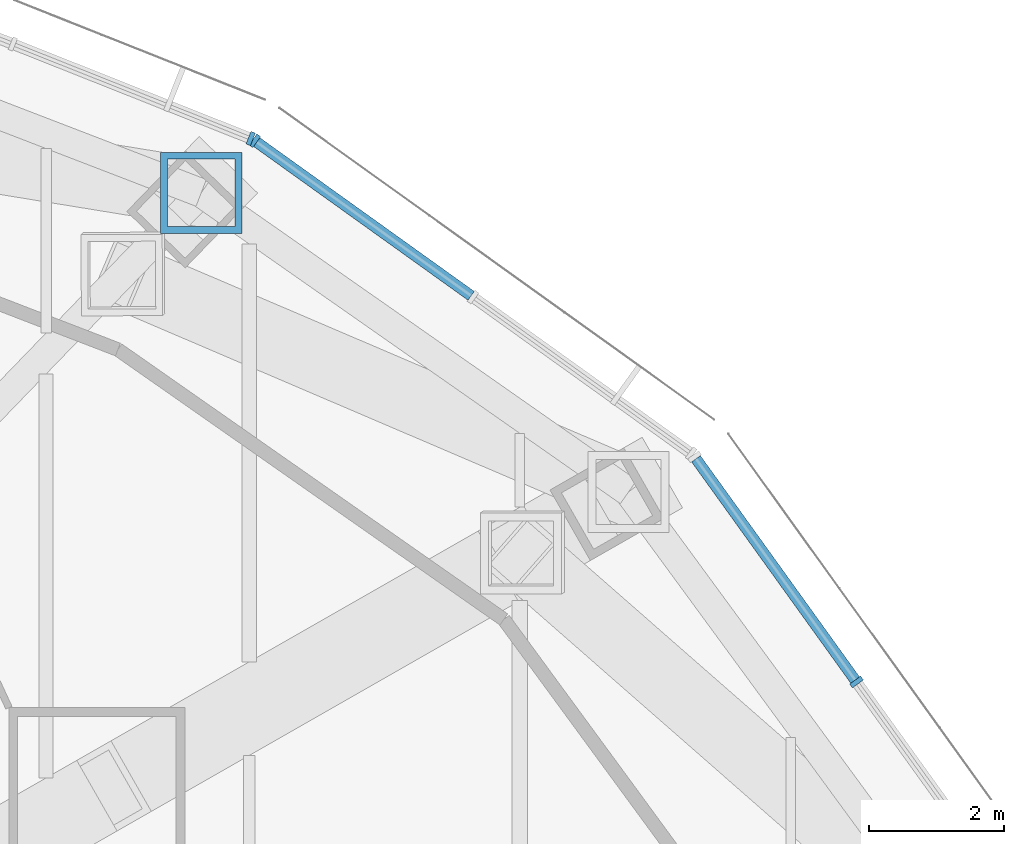
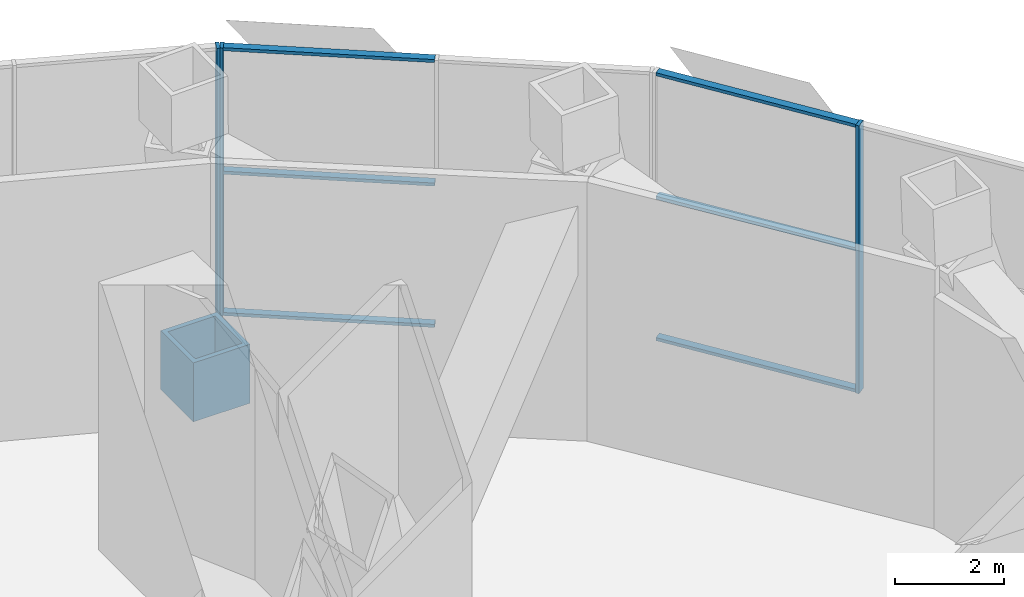
# One storey, part 11 of 21: 10 members, 3 elements without a shape of their own.
"""IFC4 building model written with IfcOpenShell, lengths in metres."""

import ifcopenshell
import ifcopenshell.guid

model = None  # the IFC model being written
_history = None  # IfcOwnerHistory: only IFC2X3 demands one
_inside = {}  # id of a spatial element -> (the spatial element, [elements in it])
_under = {}  # id of a project, library or spatial element -> (it, [spatial elements below it])
_declared = {}  # id of a project -> (the project, [libraries it declares])
_typed = {}  # id of a type object -> (the type object, [elements of that type])
_made_of = {}  # id of a material, layer set ... -> (it, [elements and type objects made of it])


def new_model(schema):
    """Start an empty IFC model of exactly this schema.

    Asked for "IFC4X3", IfcOpenShell would pick the latest addendum, in which some entities
    have other attributes; the version numbers below select the first issue.
    IFC2X3 requires an IfcOwnerHistory on every rooted entity: one is made here for all.
    """
    global model, _history
    if schema == "IFC4X3":
        model = ifcopenshell.file(schema_version=(4, 3, 0, 0))
    else:
        model = ifcopenshell.file(schema=schema)
    _inside.clear()
    _under.clear()
    _declared.clear()
    _typed.clear()
    _made_of.clear()
    _history = None
    if model.schema == "IFC2X3":
        org = make("IfcOrganization", Name="unknown")
        user = make(
            "IfcPersonAndOrganization",
            ThePerson=make("IfcPerson", FamilyName="unknown"),
            TheOrganization=org,
        )
        app = make(
            "IfcApplication",
            ApplicationDeveloper=org,
            Version="unknown",
            ApplicationFullName="unknown",
            ApplicationIdentifier="unknown",
        )
        _history = make(
            "IfcOwnerHistory",
            OwningUser=user,
            OwningApplication=app,
            ChangeAction="ADDED",
            CreationDate=0,
        )
    return model


def make(cls, **values):
    """One entity of the class cls with the attributes given. An attribute that is None is left unset."""
    return model.create_entity(
        cls, **{name: value for name, value in values.items() if value is not None}
    )


def rooted(cls, **values):
    """An entity with a GlobalId (a new one), such as an element, a storey or a relation."""
    return make(cls, GlobalId=ifcopenshell.guid.new(), OwnerHistory=_history, **values)


def si_unit(unit_type, name, prefix=None):
    """IfcSIUnit, for example si_unit("LENGTHUNIT", "METRE", prefix="MILLI")."""
    return make("IfcSIUnit", UnitType=unit_type, Prefix=prefix, Name=name)


def assignment(units):
    """IfcUnitAssignment: the units of a project."""
    return None if units is None else make("IfcUnitAssignment", Units=units)


def point(xyz):
    """IfcCartesianPoint."""
    return None if xyz is None else make("IfcCartesianPoint", Coordinates=xyz)


def direction(xyz):
    """IfcDirection."""
    return None if xyz is None else make("IfcDirection", DirectionRatios=xyz)


def frame(location, z_axis=None, x_axis=None):
    """IfcAxis2Placement3D, a coordinate frame: its origin and axes. An axis left out is left unset."""
    return make(
        "IfcAxis2Placement3D",
        Location=point(location),
        Axis=direction(z_axis),
        RefDirection=direction(x_axis),
    )


def frame_2d(location, x_axis=None):
    """IfcAxis2Placement2D, a coordinate frame in the plane: its origin and x axis."""
    return make(
        "IfcAxis2Placement2D", Location=point(location), RefDirection=direction(x_axis)
    )


def origin():
    """The frame at (0, 0, 0) with its axes left unset."""
    return frame((0.0, 0.0, 0.0))


def origin_2d():
    """The frame at (0, 0) in the plane with its x axis left unset."""
    return frame_2d((0.0, 0.0))


def place(relative_to, where):
    """IfcLocalPlacement: puts the frame where relative to a parent placement (None: the world)."""
    return make(
        "IfcLocalPlacement", PlacementRelTo=relative_to, RelativePlacement=where
    )


def context(
    kind, dimensions, precision=None, world=None, true_north=None, identifier=None
):
    """IfcGeometricRepresentationContext, for example the 3D "Model" context."""
    return make(
        "IfcGeometricRepresentationContext",
        ContextIdentifier=identifier,
        ContextType=kind,
        CoordinateSpaceDimension=dimensions,
        Precision=precision,
        WorldCoordinateSystem=world,
        TrueNorth=true_north,
    )


def subcontext(parent, identifier, kind, view, scale=None):
    """IfcGeometricRepresentationSubContext, for example "Body" below "Model"."""
    return make(
        "IfcGeometricRepresentationSubContext",
        ContextIdentifier=identifier,
        ContextType=kind,
        ParentContext=parent,
        TargetScale=scale,
        TargetView=view,
    )


def project(units=None, contexts=None):
    """IfcProject with its units and contexts."""
    return rooted(
        "IfcProject",
        Name="project",
        RepresentationContexts=contexts,
        UnitsInContext=assignment(units),
    )


def spatial(cls, under=None, at=None, **own):
    """A site, building, storey or space (cls), placed at a placement, below another one or the project."""
    s = rooted(cls, ObjectPlacement=at, **own)
    if under is not None:
        _under.setdefault(under.id(), (under, []))[1].append(s)
    return s


def profile(cls, at=None, kind="AREA", **sizes):
    """A parametric profile (cls). Its sizes go by their IFC names, for example OverallWidth=200.0."""
    return make(cls, ProfileType=kind, Position=at, **sizes)


def rectangle(**sizes):
    """IfcRectangleProfileDef."""
    return profile("IfcRectangleProfileDef", **sizes)


def hollow_rectangle(**sizes):
    """IfcRectangleHollowProfileDef."""
    return profile("IfcRectangleHollowProfileDef", **sizes)


def extrude(swept, where, along, depth):
    """IfcExtrudedAreaSolid: the profile swept, set in the frame where, extruded along a direction by depth."""
    return make(
        "IfcExtrudedAreaSolid",
        SweptArea=swept,
        Position=where,
        ExtrudedDirection=direction(along),
        Depth=depth,
    )


def shape(context_of_items, identifier, shape_type, items):
    """IfcShapeRepresentation: the items that make up one representation, for example the "Body"."""
    return make(
        "IfcShapeRepresentation",
        ContextOfItems=context_of_items,
        RepresentationIdentifier=identifier,
        RepresentationType=shape_type,
        Items=items,
    )


def material(Name=None, Category=None):
    """IfcMaterial."""
    return make("IfcMaterial", Name=Name, Category=Category)


def material_profile(
    of_material, cross_section, Name=None, Category=None, Priority=None
):
    """IfcMaterialProfile: a cross section and its material."""
    return make(
        "IfcMaterialProfile",
        Name=Name,
        Material=of_material,
        Profile=cross_section,
        Priority=Priority,
        Category=Category,
    )


def profile_set(profiles, Name=None, composite=None):
    """IfcMaterialProfileSet."""
    return make(
        "IfcMaterialProfileSet",
        Name=Name,
        MaterialProfiles=profiles,
        CompositeProfile=composite,
    )


def made_of(thing, what):
    """Note that an element or type object is made of a material, layer set ...; save() writes the relation."""
    if what is not None:
        _made_of.setdefault(what.id(), (what, []))[1].append(thing)
    return thing


def type_object(cls, material=None, **own):
    """A type object (cls), such as IfcWallType, which elements share."""
    return made_of(rooted(cls, **own), material)


def element(
    cls,
    number,
    at=None,
    inside=None,
    cuts=None,
    type_object=None,
    material=None,
    context=None,
    identifier="Body",
    shape_type=None,
    held_by="IfcProductDefinitionShape",
    body=None,
    shapes=None,
    **own,
):
    """One element of the class cls, such as IfcWall. Its Tag is "e" and its number.

    at: its placement. inside: the storey or other place that contains it. cuts: it is an
    opening in that element (IfcRelVoidsElement). A single representation is given by context,
    identifier, shape_type and body (its items); several are given by shapes. held_by: the class
    of the entity that holds the representations. save() writes the other relations.
    """
    e = rooted(cls, Tag="e%d" % number, ObjectPlacement=at, **own)
    if body is not None:
        shapes = [shape(context, identifier, shape_type, body)]
    if shapes is not None:
        e.Representation = make(held_by, Representations=shapes)
    if inside is not None:
        _inside.setdefault(inside.id(), (inside, []))[1].append(e)
    if cuts is not None:
        rooted(
            "IfcRelVoidsElement", RelatingBuildingElement=cuts, RelatedOpeningElement=e
        )
    if type_object is not None:
        _typed.setdefault(type_object.id(), (type_object, []))[1].append(e)
    return made_of(e, material)


def aggregate(whole, parts):
    """IfcRelAggregates: a whole, such as a stair, and the parts it consists of."""
    return rooted("IfcRelAggregates", RelatingObject=whole, RelatedObjects=parts)


def save(model, path):
    """Write the relations noted so far, then the file.

    IfcRelAggregates (storeys below a building ...), IfcRelContainedInSpatialStructure (elements
    in a storey), IfcRelDefinesByType, IfcRelAssociatesMaterial and IfcRelDeclares: one each for
    every whole, place, type object, material and project.
    """
    for whole, parts in _under.values():
        aggregate(whole, parts)
    for where, things in _inside.values():
        rooted(
            "IfcRelContainedInSpatialStructure",
            RelatedElements=things,
            RelatingStructure=where,
        )
    for kind, things in _typed.values():
        rooted("IfcRelDefinesByType", RelatedObjects=things, RelatingType=kind)
    for what, things in _made_of.values():
        rooted("IfcRelAssociatesMaterial", RelatedObjects=things, RelatingMaterial=what)
    for by, libraries in _declared.values():
        rooted("IfcRelDeclares", RelatingContext=by, RelatedDefinitions=libraries)
    model.write(path)


model = new_model("IFC4")

# Units and contexts
model_context = context("Model", 3, precision=1e-05, world=origin(), true_north=direction((0.0, 1.0)))
body_context = subcontext(model_context, "Body", "Model", "MODEL_VIEW")
ifc_project = project(units=[si_unit("LENGTHUNIT", "METRE"), si_unit("AREAUNIT", "SQUARE_METRE"), si_unit("VOLUMEUNIT", "CUBIC_METRE"), si_unit("PLANEANGLEUNIT", "RADIAN"), si_unit("MASSUNIT", "GRAM", prefix="KILO")], contexts=[model_context])

# Site, building, storey
site_placement = place(None, origin())
site = spatial("IfcSite", under=ifc_project, at=site_placement, CompositionType="ELEMENT")
building_placement = place(site_placement, origin())
building = spatial("IfcBuilding", under=site, at=building_placement, Name="Lantaw Convention Tower", CompositionType="ELEMENT")
storey_placement = place(building_placement, frame((0.0, 0.0, 105.39990234375)))
storey = spatial("IfcBuildingStorey", under=building, at=storey_placement, Name="L25", CompositionType="ELEMENT", Elevation=105.39990234375)

# Curtain wall, member
ifc_material_1 = material(Name="Aluminium framed curtain wall", Category="aluminium")
curtain_wall_type = type_object("IfcCurtainWallType", Name="Plant floor louvre wall, pale aluminium", PredefinedType="USERDEFINED", material=ifc_material_1)
curtain_wall_1_placement = place(storey_placement, origin())
curtain_wall_1 = element("IfcCurtainWall", 1, at=curtain_wall_1_placement, inside=storey, type_object=curtain_wall_type, Name="Plant floor louvre wall, pale aluminium L25", ObjectType="LOUVRE WALL", PredefinedType="USERDEFINED")
ifc_material_2 = material(Name="Aluminium 6063-T6", Category="aluminium")
ifc_material_profile_1 = material_profile(ifc_material_2, rectangle(XDim=0.199951171875, YDim=0.070068359375, at=origin_2d()), Name="CW-LV mullion 70x200")
ifc_profile_set_1 = profile_set([ifc_material_profile_1], Name="Aluminium 6063-T6")
member_type_1 = type_object("IfcMemberType", Name="CW-LV mullion 70x200", PredefinedType="MULLION", material=ifc_profile_set_1)
member_1_placement = place(storey_placement, frame((26.97265625, 10.680419921875, -0.199951171875), z_axis=(0.0, 0.0, 1.0), x_axis=(-0.811788726895, -0.583951250436, 0.0)))
member_1 = element("IfcMember", 2, at=member_1_placement, type_object=member_type_1, Name="CW-LV mullion 2", PredefinedType="MULLION", context=body_context, shape_type="SweptSolid", body=[
    extrude(rectangle(XDim=0.199951171875, YDim=0.070068359375, at=origin_2d()), origin(), (0.0, 0.0, 1.0), 6.0),
])

curtain_wall_2_placement = place(storey_placement, origin())
curtain_wall_2 = element("IfcCurtainWall", 3, at=curtain_wall_2_placement, inside=storey, type_object=curtain_wall_type, Name="Plant floor louvre wall, pale aluminium L25", ObjectType="LOUVRE WALL", PredefinedType="USERDEFINED")
member_2_placement = place(storey_placement, frame((18.08349609375, 18.676025390625, -0.199951171875), z_axis=(0.0, 0.0, 1.0), x_axis=(-0.5825376308, -0.812803733199, 0.0)))
member_2 = element("IfcMember", 4, at=member_2_placement, type_object=member_type_1, Name="CW-LV mullion 3", PredefinedType="MULLION", context=body_context, shape_type="SweptSolid", body=[
    extrude(rectangle(XDim=0.199951171875, YDim=0.070068359375, at=origin_2d()), origin(), (0.0, 0.0, 1.0), 6.0),
])

curtain_wall_3_placement = place(storey_placement, origin())
curtain_wall_3 = element("IfcCurtainWall", 5, at=curtain_wall_3_placement, inside=storey, type_object=curtain_wall_type, Name="Plant floor louvre wall, pale aluminium L25", ObjectType="LOUVRE WALL", PredefinedType="USERDEFINED")
member_3_placement = place(storey_placement, frame((18.0224609375, 18.70947265625, -0.199951171875), z_axis=(0.0, 0.0, 1.0), x_axis=(-0.369171840425, -0.929361152748, 0.0)))
member_3 = element("IfcMember", 6, at=member_3_placement, type_object=member_type_1, Name="CW-LV mullion 1", PredefinedType="MULLION", context=body_context, shape_type="SweptSolid", body=[
    extrude(rectangle(XDim=0.199951171875, YDim=0.070068359375, at=origin_2d()), origin(), (0.0, 0.0, 1.0), 6.0),
])
aggregate(curtain_wall_3, [member_3])

# Member
ifc_material_profile_2 = material_profile(ifc_material_2, rectangle(XDim=0.159912109375, YDim=0.070068359375, at=origin_2d()), Name="CW-LV transom 70x160")
ifc_profile_set_2 = profile_set([ifc_material_profile_2], Name="Aluminium 6063-T6")
member_type_2 = type_object("IfcMemberType", Name="CW-LV transom 70x160", PredefinedType="USERDEFINED", material=ifc_profile_set_2)
member_4_placement = place(storey_placement, frame((26.9521484375, 10.708740234375, -0.164794921875), z_axis=(-0.583942092364, 0.811795314574, 0.0), x_axis=(-0.811795314574, -0.583942092364, 0.0)))
member_4 = element("IfcMember", 7, at=member_4_placement, type_object=member_type_2, Name="CW-LV transom 2.1", ObjectType="TRANSOM", PredefinedType="USERDEFINED", context=body_context, shape_type="SweptSolid", body=[
    extrude(rectangle(XDim=0.159912109375, YDim=0.070068359375, at=origin_2d()), origin(), (0.0, 0.0, 1.0), 4.026611328125),
])

member_5_placement = place(storey_placement, frame((26.9521484375, 10.708740234375, 3.0), z_axis=(-0.583942092364, 0.811795314574, 0.0), x_axis=(-0.811795314574, -0.583942092364, 0.0)))
member_5 = element("IfcMember", 8, at=member_5_placement, type_object=member_type_2, Name="CW-LV transom 2.2", ObjectType="TRANSOM", PredefinedType="USERDEFINED", context=body_context, shape_type="SweptSolid", body=[
    extrude(rectangle(XDim=0.159912109375, YDim=0.070068359375, at=origin_2d()), origin(), (0.0, 0.0, 1.0), 4.026611328125),
])

member_6_placement = place(storey_placement, frame((26.9521484375, 10.708740234375, 5.76513671875), z_axis=(-0.583942092364, 0.811795314574, 0.0), x_axis=(-0.811795314574, -0.583942092364, 0.0)))
member_6 = element("IfcMember", 9, at=member_6_placement, type_object=member_type_2, Name="CW-LV transom 2.3", ObjectType="TRANSOM", PredefinedType="USERDEFINED", context=body_context, shape_type="SweptSolid", body=[
    extrude(rectangle(XDim=0.159912109375, YDim=0.070068359375, at=origin_2d()), origin(), (0.0, 0.0, 1.0), 4.026611328125),
])

aggregate(curtain_wall_1, [member_1, member_4, member_5, member_6])

member_7_placement = place(storey_placement, frame((21.279052734375, 16.3857421875, -0.164794921875), z_axis=(-0.812796855992, 0.582547226317, 0.0), x_axis=(-0.582547226317, -0.812796855992, 0.0)))
member_7 = element("IfcMember", 10, at=member_7_placement, type_object=member_type_2, Name="CW-LV transom 2.1", ObjectType="TRANSOM", PredefinedType="USERDEFINED", context=body_context, shape_type="SweptSolid", body=[
    extrude(rectangle(XDim=0.159912109375, YDim=0.070068359375, at=origin_2d()), origin(), (0.0, 0.0, 1.0), 3.896728515625),
])

member_8_placement = place(storey_placement, frame((21.279052734375, 16.3857421875, 3.0), z_axis=(-0.812796855992, 0.582547226317, 0.0), x_axis=(-0.582547226317, -0.812796855992, 0.0)))
member_8 = element("IfcMember", 11, at=member_8_placement, type_object=member_type_2, Name="CW-LV transom 2.2", ObjectType="TRANSOM", PredefinedType="USERDEFINED", context=body_context, shape_type="SweptSolid", body=[
    extrude(rectangle(XDim=0.159912109375, YDim=0.070068359375, at=origin_2d()), origin(), (0.0, 0.0, 1.0), 3.896728515625),
])

member_9_placement = place(storey_placement, frame((21.279052734375, 16.3857421875, 5.76513671875), z_axis=(-0.812796855992, 0.582547226317, 0.0), x_axis=(-0.582547226317, -0.812796855992, 0.0)))
member_9 = element("IfcMember", 12, at=member_9_placement, type_object=member_type_2, Name="CW-LV transom 2.3", ObjectType="TRANSOM", PredefinedType="USERDEFINED", context=body_context, shape_type="SweptSolid", body=[
    extrude(rectangle(XDim=0.159912109375, YDim=0.070068359375, at=origin_2d()), origin(), (0.0, 0.0, 1.0), 3.896728515625),
])

aggregate(curtain_wall_2, [member_2, member_7, member_8, member_9])

ifc_material_3 = material(Name="Cast steel ASTM A148 Grade 80-50", Category="steel")
ifc_material_profile_3 = material_profile(ifc_material_3, hollow_rectangle(XDim=1.199951171875, YDim=1.199951171875, WallThickness=0.10009765625, at=origin_2d()), Name="BOX1200X100")
ifc_profile_set_3 = profile_set([ifc_material_profile_3], Name="Cast steel ASTM A148 Grade 80-50")
member_type_3 = type_object("IfcMemberType", Name="Member CN BOX1200X100", PredefinedType="USERDEFINED", material=ifc_profile_set_3)
member_10_placement = place(storey_placement, frame((17.290771484375, 17.9052734375, -1.31982421875), z_axis=(0.0, 0.0, 1.0), x_axis=(1.0, 0.0, 0.0)))
element("IfcMember", 13, at=member_10_placement, inside=storey, type_object=member_type_3, Name="Cast steel column node", ObjectType="COLUMN NODE", PredefinedType="USERDEFINED", context=body_context, shape_type="SweptSolid", body=[
    extrude(hollow_rectangle(XDim=1.199951171875, YDim=1.199951171875, WallThickness=0.10009765625, at=origin_2d()), origin(), (0.0, 0.0, 1.0), 1.31982421875),
])

save(model, "model.ifc")
